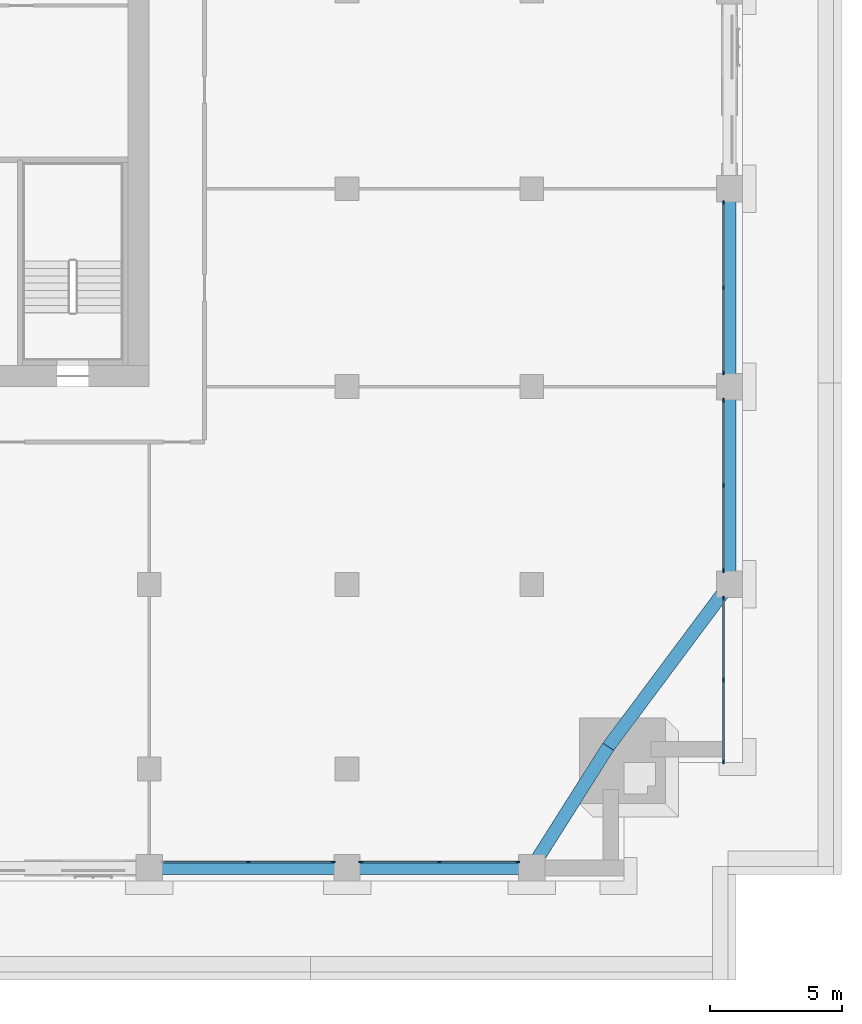
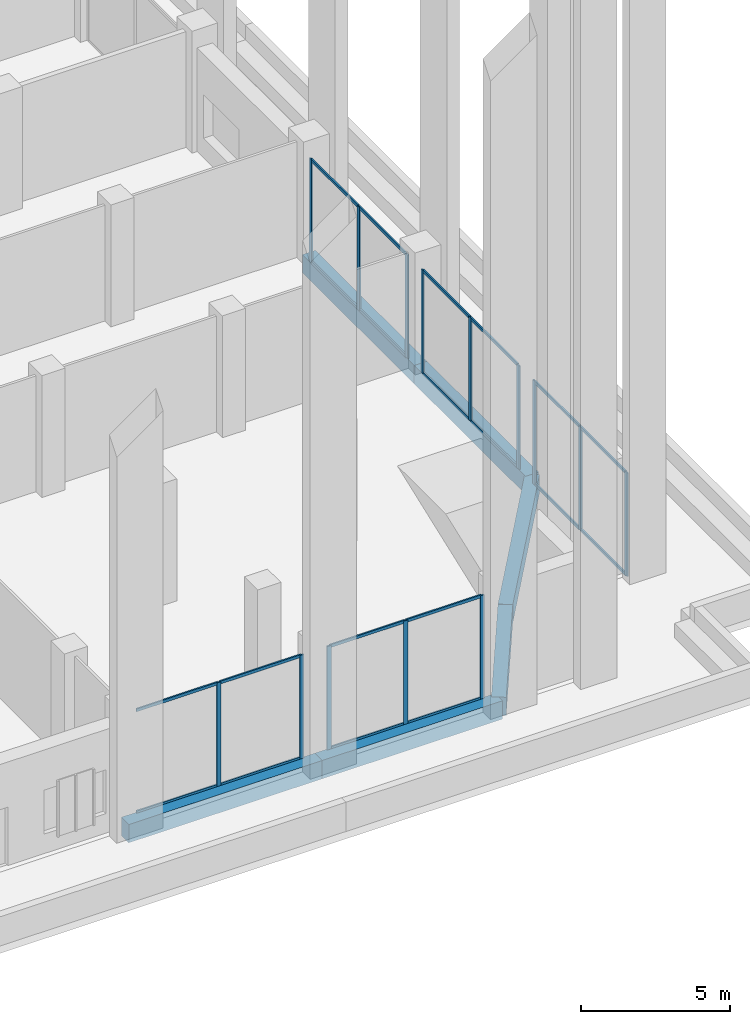
# One storey, part 4 of 19: 34 members, 6 beams, 5 elements without a shape of their own.
"""IFC4 building model written with IfcOpenShell, lengths in metres."""

from ifc_helpers import new_model, si_unit, direction, frame, origin, origin_2d, place, context, subcontext, project, spatial, rectangle, extrude, material, layer, layer_set, material_profile, profile_set, type_object, element, aggregate, save


model = new_model("IFC4")

# Units and contexts
model_context = context("Model", 3, precision=1e-05, world=origin(), true_north=direction((0.0, 1.0)))
body_context = subcontext(model_context, "Body", "Model", "MODEL_VIEW")
ifc_project = project(units=[si_unit("LENGTHUNIT", "METRE"), si_unit("AREAUNIT", "SQUARE_METRE"), si_unit("VOLUMEUNIT", "CUBIC_METRE"), si_unit("PLANEANGLEUNIT", "RADIAN"), si_unit("MASSUNIT", "GRAM", prefix="KILO")], contexts=[model_context])

# Site, building, storey
site_placement = place(None, origin())
site = spatial("IfcSite", under=ifc_project, at=site_placement, CompositionType="ELEMENT")
building_placement = place(site_placement, origin())
building = spatial("IfcBuilding", under=site, at=building_placement, Name="Tamorin Gate", CompositionType="ELEMENT")
storey_placement = place(building_placement, frame((0.0, 0.0, 174.199951171875)))
storey = spatial("IfcBuildingStorey", under=building, at=storey_placement, Name="L42", CompositionType="ELEMENT", Elevation=174.199951171875)

# Curtain wall, members
ifc_material_1 = material(Name="Aluminium mullions and transoms with clear glass", Category="aluminium")
ifc_layer = layer(ifc_material_1, 0.159912109375)
ifc_layer_set = layer_set([ifc_layer], Name="Curtain wall system CW2")
curtain_wall_type = type_object("IfcCurtainWallType", Name="Curtain wall system CW2", PredefinedType="NOTDEFINED", material=ifc_layer_set)
curtain_wall_1_placement = place(storey_placement, origin())
curtain_wall_1 = element("IfcCurtainWall", 1, at=curtain_wall_1_placement, inside=storey, type_object=curtain_wall_type, Name="Curtain wall", PredefinedType="NOTDEFINED")
ifc_material_2 = material(Name="Aluminium", Category="aluminium")
ifc_material_profile_1 = material_profile(ifc_material_2, rectangle(XDim=0.06005859375, YDim=0.159912109375, at=origin_2d()), Name="RECT 60x160")
ifc_profile_set_1 = profile_set([ifc_material_profile_1], Name="Aluminium")
member_type_1 = type_object("IfcMemberType", Name="Aluminium mullion 60x160", PredefinedType="MULLION", material=ifc_profile_set_1)
member_1_placement = place(storey_placement, frame((63.75, 41.969970703125, 0.0), z_axis=(0.0, 0.0, 1.0), x_axis=(0.0, 1.0, 0.0)))
member_1 = element("IfcMember", 2, at=member_1_placement, type_object=member_type_1, Name="CW2 mullion 2", PredefinedType="MULLION", context=body_context, shape_type="SweptSolid", body=[
    extrude(rectangle(XDim=0.06005859375, YDim=0.159912109375, at=origin_2d()), origin(), (0.0, 0.0, 1.0), 4.25),
])
member_2_placement = place(storey_placement, frame((66.969970703125, 41.969970703125, 0.0), z_axis=(0.0, 0.0, 1.0), x_axis=(0.0, 1.0, 0.0)))
member_2 = element("IfcMember", 3, at=member_2_placement, type_object=member_type_1, Name="CW2 mullion 3", PredefinedType="MULLION", context=body_context, shape_type="SweptSolid", body=[
    extrude(rectangle(XDim=0.06005859375, YDim=0.159912109375, at=origin_2d()), origin(), (0.0, 0.0, 1.0), 4.25),
])

curtain_wall_2_placement = place(storey_placement, origin())
curtain_wall_2 = element("IfcCurtainWall", 4, at=curtain_wall_2_placement, inside=storey, type_object=curtain_wall_type, Name="Curtain wall", PredefinedType="NOTDEFINED")
member_3_placement = place(storey_placement, frame((68.030029296875, 41.969970703125, 0.0), z_axis=(0.0, 0.0, 1.0), x_axis=(0.0, 1.0, 0.0)))
member_3 = element("IfcMember", 5, at=member_3_placement, type_object=member_type_1, Name="CW2 mullion 1", PredefinedType="MULLION", context=body_context, shape_type="SweptSolid", body=[
    extrude(rectangle(XDim=0.06005859375, YDim=0.159912109375, at=origin_2d()), origin(), (0.0, 0.0, 1.0), 4.25),
])
member_4_placement = place(storey_placement, frame((71.0, 41.969970703125, 0.0), z_axis=(0.0, 0.0, 1.0), x_axis=(0.0, 1.0, 0.0)))
member_4 = element("IfcMember", 6, at=member_4_placement, type_object=member_type_1, Name="CW2 mullion 2", PredefinedType="MULLION", context=body_context, shape_type="SweptSolid", body=[
    extrude(rectangle(XDim=0.06005859375, YDim=0.159912109375, at=origin_2d()), origin(), (0.0, 0.0, 1.0), 4.25),
])
member_5_placement = place(storey_placement, frame((73.969970703125, 41.969970703125, 0.0), z_axis=(0.0, 0.0, 1.0), x_axis=(0.0, 1.0, 0.0)))
member_5 = element("IfcMember", 7, at=member_5_placement, type_object=member_type_1, Name="CW2 mullion 3", PredefinedType="MULLION", context=body_context, shape_type="SweptSolid", body=[
    extrude(rectangle(XDim=0.06005859375, YDim=0.159912109375, at=origin_2d()), origin(), (0.0, 0.0, 1.0), 4.25),
])

curtain_wall_3_placement = place(storey_placement, origin())
curtain_wall_3 = element("IfcCurtainWall", 8, at=curtain_wall_3_placement, inside=storey, type_object=curtain_wall_type, Name="Curtain wall", PredefinedType="NOTDEFINED")
member_6_placement = place(storey_placement, frame((81.780029296875, 45.780029296875, 0.0), z_axis=(0.0, 0.0, 1.0), x_axis=(-1.0, 0.0, 0.0)))
member_6 = element("IfcMember", 9, at=member_6_placement, type_object=member_type_1, Name="CW2 mullion 1", PredefinedType="MULLION", context=body_context, shape_type="SweptSolid", body=[
    extrude(rectangle(XDim=0.06005859375, YDim=0.159912109375, at=origin_2d()), origin(), (0.0, 0.0, 1.0), 4.25),
])
member_7_placement = place(storey_placement, frame((81.780029296875, 48.875, 0.0), z_axis=(0.0, 0.0, 1.0), x_axis=(-1.0, 0.0, 0.0)))
member_7 = element("IfcMember", 10, at=member_7_placement, type_object=member_type_1, Name="CW2 mullion 2", PredefinedType="MULLION", context=body_context, shape_type="SweptSolid", body=[
    extrude(rectangle(XDim=0.06005859375, YDim=0.159912109375, at=origin_2d()), origin(), (0.0, 0.0, 1.0), 4.25),
])
member_8_placement = place(storey_placement, frame((81.780029296875, 51.969970703125, 0.0), z_axis=(0.0, 0.0, 1.0), x_axis=(-1.0, 0.0, 0.0)))
member_8 = element("IfcMember", 11, at=member_8_placement, type_object=member_type_1, Name="CW2 mullion 3", PredefinedType="MULLION", context=body_context, shape_type="SweptSolid", body=[
    extrude(rectangle(XDim=0.06005859375, YDim=0.159912109375, at=origin_2d()), origin(), (0.0, 0.0, 1.0), 4.25),
])

curtain_wall_4_placement = place(storey_placement, origin())
curtain_wall_4 = element("IfcCurtainWall", 12, at=curtain_wall_4_placement, inside=storey, type_object=curtain_wall_type, Name="Curtain wall", PredefinedType="NOTDEFINED")
member_9_placement = place(storey_placement, frame((81.780029296875, 53.030029296875, 0.0), z_axis=(0.0, 0.0, 1.0), x_axis=(-1.0, 0.0, 0.0)))
member_9 = element("IfcMember", 13, at=member_9_placement, type_object=member_type_1, Name="CW2 mullion 1", PredefinedType="MULLION", context=body_context, shape_type="SweptSolid", body=[
    extrude(rectangle(XDim=0.06005859375, YDim=0.159912109375, at=origin_2d()), origin(), (0.0, 0.0, 1.0), 4.25),
])
member_10_placement = place(storey_placement, frame((81.780029296875, 56.25, 0.0), z_axis=(0.0, 0.0, 1.0), x_axis=(-1.0, 0.0, 0.0)))
member_10 = element("IfcMember", 14, at=member_10_placement, type_object=member_type_1, Name="CW2 mullion 2", PredefinedType="MULLION", context=body_context, shape_type="SweptSolid", body=[
    extrude(rectangle(XDim=0.06005859375, YDim=0.159912109375, at=origin_2d()), origin(), (0.0, 0.0, 1.0), 4.25),
])
member_11_placement = place(storey_placement, frame((81.780029296875, 59.469970703125, 0.0), z_axis=(0.0, 0.0, 1.0), x_axis=(-1.0, 0.0, 0.0)))
member_11 = element("IfcMember", 15, at=member_11_placement, type_object=member_type_1, Name="CW2 mullion 3", PredefinedType="MULLION", context=body_context, shape_type="SweptSolid", body=[
    extrude(rectangle(XDim=0.06005859375, YDim=0.159912109375, at=origin_2d()), origin(), (0.0, 0.0, 1.0), 4.25),
])

curtain_wall_5_placement = place(storey_placement, origin())
curtain_wall_5 = element("IfcCurtainWall", 16, at=curtain_wall_5_placement, inside=storey, type_object=curtain_wall_type, Name="Curtain wall", PredefinedType="NOTDEFINED")
member_12_placement = place(storey_placement, frame((81.780029296875, 60.530029296875, 0.0), z_axis=(0.0, 0.0, 1.0), x_axis=(-1.0, 0.0, 0.0)))
member_12 = element("IfcMember", 17, at=member_12_placement, type_object=member_type_1, Name="CW2 mullion 1", PredefinedType="MULLION", context=body_context, shape_type="SweptSolid", body=[
    extrude(rectangle(XDim=0.06005859375, YDim=0.159912109375, at=origin_2d()), origin(), (0.0, 0.0, 1.0), 4.25),
])
member_13_placement = place(storey_placement, frame((81.780029296875, 63.75, 0.0), z_axis=(0.0, 0.0, 1.0), x_axis=(-1.0, 0.0, 0.0)))
member_13 = element("IfcMember", 18, at=member_13_placement, type_object=member_type_1, Name="CW2 mullion 2", PredefinedType="MULLION", context=body_context, shape_type="SweptSolid", body=[
    extrude(rectangle(XDim=0.06005859375, YDim=0.159912109375, at=origin_2d()), origin(), (0.0, 0.0, 1.0), 4.25),
])
member_14_placement = place(storey_placement, frame((81.780029296875, 66.969970703125, 0.0), z_axis=(0.0, 0.0, 1.0), x_axis=(-1.0, 0.0, 0.0)))
member_14 = element("IfcMember", 19, at=member_14_placement, type_object=member_type_1, Name="CW2 mullion 3", PredefinedType="MULLION", context=body_context, shape_type="SweptSolid", body=[
    extrude(rectangle(XDim=0.06005859375, YDim=0.159912109375, at=origin_2d()), origin(), (0.0, 0.0, 1.0), 4.25),
])

# Member
ifc_material_profile_2 = material_profile(ifc_material_2, rectangle(XDim=0.06005859375, YDim=0.1201171875, at=origin_2d()), Name="RECT 60x120")
ifc_profile_set_2 = profile_set([ifc_material_profile_2], Name="Aluminium")
member_type_2 = type_object("IfcMemberType", Name="Aluminium transom 60x120", PredefinedType="USERDEFINED", material=ifc_profile_set_2)
member_15_placement = place(storey_placement, frame((60.56005859375, 41.969970703125, 0.030029296875), z_axis=(1.0, 0.0, 0.0), x_axis=(0.0, 1.0, 0.0)))
member_15 = element("IfcMember", 20, at=member_15_placement, type_object=member_type_2, Name="CW2 transom 1.1", ObjectType="TRANSOM", PredefinedType="USERDEFINED", context=body_context, shape_type="SweptSolid", body=[
    extrude(rectangle(XDim=0.06005859375, YDim=0.1201171875, at=origin_2d()), origin(), (0.0, 0.0, 1.0), 3.159912109375),
])

member_16_placement = place(storey_placement, frame((60.56005859375, 41.969970703125, 4.219970703125), z_axis=(1.0, 0.0, 0.0), x_axis=(0.0, 1.0, 0.0)))
member_16 = element("IfcMember", 21, at=member_16_placement, type_object=member_type_2, Name="CW2 transom 1.2", ObjectType="TRANSOM", PredefinedType="USERDEFINED", context=body_context, shape_type="SweptSolid", body=[
    extrude(rectangle(XDim=0.06005859375, YDim=0.1201171875, at=origin_2d()), origin(), (0.0, 0.0, 1.0), 3.159912109375),
])

member_17_placement = place(storey_placement, frame((63.780029296875, 41.969970703125, 0.030029296875), z_axis=(1.0, 0.0, 0.0), x_axis=(0.0, 1.0, 0.0)))
member_17 = element("IfcMember", 22, at=member_17_placement, type_object=member_type_2, Name="CW2 transom 2.1", ObjectType="TRANSOM", PredefinedType="USERDEFINED", context=body_context, shape_type="SweptSolid", body=[
    extrude(rectangle(XDim=0.06005859375, YDim=0.1201171875, at=origin_2d()), origin(), (0.0, 0.0, 1.0), 3.159912109375),
])

member_18_placement = place(storey_placement, frame((63.780029296875, 41.969970703125, 4.219970703125), z_axis=(1.0, 0.0, 0.0), x_axis=(0.0, 1.0, 0.0)))
member_18 = element("IfcMember", 23, at=member_18_placement, type_object=member_type_2, Name="CW2 transom 2.2", ObjectType="TRANSOM", PredefinedType="USERDEFINED", context=body_context, shape_type="SweptSolid", body=[
    extrude(rectangle(XDim=0.06005859375, YDim=0.1201171875, at=origin_2d()), origin(), (0.0, 0.0, 1.0), 3.159912109375),
])

aggregate(curtain_wall_1, [member_1, member_2, member_15, member_16, member_17, member_18])

member_19_placement = place(storey_placement, frame((68.06005859375, 41.969970703125, 0.030029296875), z_axis=(1.0, 0.0, 0.0), x_axis=(0.0, 1.0, 0.0)))
member_19 = element("IfcMember", 24, at=member_19_placement, type_object=member_type_2, Name="CW2 transom 1.1", ObjectType="TRANSOM", PredefinedType="USERDEFINED", context=body_context, shape_type="SweptSolid", body=[
    extrude(rectangle(XDim=0.06005859375, YDim=0.1201171875, at=origin_2d()), origin(), (0.0, 0.0, 1.0), 2.909912109375),
])

member_20_placement = place(storey_placement, frame((68.06005859375, 41.969970703125, 4.219970703125), z_axis=(1.0, 0.0, 0.0), x_axis=(0.0, 1.0, 0.0)))
member_20 = element("IfcMember", 25, at=member_20_placement, type_object=member_type_2, Name="CW2 transom 1.2", ObjectType="TRANSOM", PredefinedType="USERDEFINED", context=body_context, shape_type="SweptSolid", body=[
    extrude(rectangle(XDim=0.06005859375, YDim=0.1201171875, at=origin_2d()), origin(), (0.0, 0.0, 1.0), 2.909912109375),
])

member_21_placement = place(storey_placement, frame((71.030029296875, 41.969970703125, 0.030029296875), z_axis=(1.0, 0.0, 0.0), x_axis=(0.0, 1.0, 0.0)))
member_21 = element("IfcMember", 26, at=member_21_placement, type_object=member_type_2, Name="CW2 transom 2.1", ObjectType="TRANSOM", PredefinedType="USERDEFINED", context=body_context, shape_type="SweptSolid", body=[
    extrude(rectangle(XDim=0.06005859375, YDim=0.1201171875, at=origin_2d()), origin(), (0.0, 0.0, 1.0), 2.909912109375),
])

member_22_placement = place(storey_placement, frame((71.030029296875, 41.969970703125, 4.219970703125), z_axis=(1.0, 0.0, 0.0), x_axis=(0.0, 1.0, 0.0)))
member_22 = element("IfcMember", 27, at=member_22_placement, type_object=member_type_2, Name="CW2 transom 2.2", ObjectType="TRANSOM", PredefinedType="USERDEFINED", context=body_context, shape_type="SweptSolid", body=[
    extrude(rectangle(XDim=0.06005859375, YDim=0.1201171875, at=origin_2d()), origin(), (0.0, 0.0, 1.0), 2.909912109375),
])

aggregate(curtain_wall_2, [member_3, member_4, member_5, member_19, member_20, member_21, member_22])

member_23_placement = place(storey_placement, frame((81.780029296875, 45.81005859375, 0.030029296875), z_axis=(0.0, 1.0, 0.0), x_axis=(-1.0, 0.0, 0.0)))
member_23 = element("IfcMember", 28, at=member_23_placement, type_object=member_type_2, Name="CW2 transom 1.1", ObjectType="TRANSOM", PredefinedType="USERDEFINED", context=body_context, shape_type="SweptSolid", body=[
    extrude(rectangle(XDim=0.06005859375, YDim=0.1201171875, at=origin_2d()), origin(), (0.0, 0.0, 1.0), 3.034912109375),
])

member_24_placement = place(storey_placement, frame((81.780029296875, 45.81005859375, 4.219970703125), z_axis=(0.0, 1.0, 0.0), x_axis=(-1.0, 0.0, 0.0)))
member_24 = element("IfcMember", 29, at=member_24_placement, type_object=member_type_2, Name="CW2 transom 1.2", ObjectType="TRANSOM", PredefinedType="USERDEFINED", context=body_context, shape_type="SweptSolid", body=[
    extrude(rectangle(XDim=0.06005859375, YDim=0.1201171875, at=origin_2d()), origin(), (0.0, 0.0, 1.0), 3.034912109375),
])

member_25_placement = place(storey_placement, frame((81.780029296875, 48.905029296875, 0.030029296875), z_axis=(0.0, 1.0, 0.0), x_axis=(-1.0, 0.0, 0.0)))
member_25 = element("IfcMember", 30, at=member_25_placement, type_object=member_type_2, Name="CW2 transom 2.1", ObjectType="TRANSOM", PredefinedType="USERDEFINED", context=body_context, shape_type="SweptSolid", body=[
    extrude(rectangle(XDim=0.06005859375, YDim=0.1201171875, at=origin_2d()), origin(), (0.0, 0.0, 1.0), 3.034912109375),
])

member_26_placement = place(storey_placement, frame((81.780029296875, 48.905029296875, 4.219970703125), z_axis=(0.0, 1.0, 0.0), x_axis=(-1.0, 0.0, 0.0)))
member_26 = element("IfcMember", 31, at=member_26_placement, type_object=member_type_2, Name="CW2 transom 2.2", ObjectType="TRANSOM", PredefinedType="USERDEFINED", context=body_context, shape_type="SweptSolid", body=[
    extrude(rectangle(XDim=0.06005859375, YDim=0.1201171875, at=origin_2d()), origin(), (0.0, 0.0, 1.0), 3.034912109375),
])

aggregate(curtain_wall_3, [member_6, member_7, member_8, member_23, member_24, member_25, member_26])

member_27_placement = place(storey_placement, frame((81.780029296875, 53.06005859375, 0.030029296875), z_axis=(0.0, 1.0, 0.0), x_axis=(-1.0, 0.0, 0.0)))
member_27 = element("IfcMember", 32, at=member_27_placement, type_object=member_type_2, Name="CW2 transom 1.1", ObjectType="TRANSOM", PredefinedType="USERDEFINED", context=body_context, shape_type="SweptSolid", body=[
    extrude(rectangle(XDim=0.06005859375, YDim=0.1201171875, at=origin_2d()), origin(), (0.0, 0.0, 1.0), 3.159912109375),
])

member_28_placement = place(storey_placement, frame((81.780029296875, 53.06005859375, 4.219970703125), z_axis=(0.0, 1.0, 0.0), x_axis=(-1.0, 0.0, 0.0)))
member_28 = element("IfcMember", 33, at=member_28_placement, type_object=member_type_2, Name="CW2 transom 1.2", ObjectType="TRANSOM", PredefinedType="USERDEFINED", context=body_context, shape_type="SweptSolid", body=[
    extrude(rectangle(XDim=0.06005859375, YDim=0.1201171875, at=origin_2d()), origin(), (0.0, 0.0, 1.0), 3.159912109375),
])

member_29_placement = place(storey_placement, frame((81.780029296875, 56.280029296875, 0.030029296875), z_axis=(0.0, 1.0, 0.0), x_axis=(-1.0, 0.0, 0.0)))
member_29 = element("IfcMember", 34, at=member_29_placement, type_object=member_type_2, Name="CW2 transom 2.1", ObjectType="TRANSOM", PredefinedType="USERDEFINED", context=body_context, shape_type="SweptSolid", body=[
    extrude(rectangle(XDim=0.06005859375, YDim=0.1201171875, at=origin_2d()), origin(), (0.0, 0.0, 1.0), 3.159912109375),
])

member_30_placement = place(storey_placement, frame((81.780029296875, 56.280029296875, 4.219970703125), z_axis=(0.0, 1.0, 0.0), x_axis=(-1.0, 0.0, 0.0)))
member_30 = element("IfcMember", 35, at=member_30_placement, type_object=member_type_2, Name="CW2 transom 2.2", ObjectType="TRANSOM", PredefinedType="USERDEFINED", context=body_context, shape_type="SweptSolid", body=[
    extrude(rectangle(XDim=0.06005859375, YDim=0.1201171875, at=origin_2d()), origin(), (0.0, 0.0, 1.0), 3.159912109375),
])

aggregate(curtain_wall_4, [member_9, member_10, member_11, member_27, member_28, member_29, member_30])

member_31_placement = place(storey_placement, frame((81.780029296875, 60.56005859375, 0.030029296875), z_axis=(0.0, 1.0, 0.0), x_axis=(-1.0, 0.0, 0.0)))
member_31 = element("IfcMember", 36, at=member_31_placement, type_object=member_type_2, Name="CW2 transom 1.1", ObjectType="TRANSOM", PredefinedType="USERDEFINED", context=body_context, shape_type="SweptSolid", body=[
    extrude(rectangle(XDim=0.06005859375, YDim=0.1201171875, at=origin_2d()), origin(), (0.0, 0.0, 1.0), 3.159912109375),
])

member_32_placement = place(storey_placement, frame((81.780029296875, 60.56005859375, 4.219970703125), z_axis=(0.0, 1.0, 0.0), x_axis=(-1.0, 0.0, 0.0)))
member_32 = element("IfcMember", 37, at=member_32_placement, type_object=member_type_2, Name="CW2 transom 1.2", ObjectType="TRANSOM", PredefinedType="USERDEFINED", context=body_context, shape_type="SweptSolid", body=[
    extrude(rectangle(XDim=0.06005859375, YDim=0.1201171875, at=origin_2d()), origin(), (0.0, 0.0, 1.0), 3.159912109375),
])

member_33_placement = place(storey_placement, frame((81.780029296875, 63.780029296875, 0.030029296875), z_axis=(0.0, 1.0, 0.0), x_axis=(-1.0, 0.0, 0.0)))
member_33 = element("IfcMember", 38, at=member_33_placement, type_object=member_type_2, Name="CW2 transom 2.1", ObjectType="TRANSOM", PredefinedType="USERDEFINED", context=body_context, shape_type="SweptSolid", body=[
    extrude(rectangle(XDim=0.06005859375, YDim=0.1201171875, at=origin_2d()), origin(), (0.0, 0.0, 1.0), 3.159912109375),
])

member_34_placement = place(storey_placement, frame((81.780029296875, 63.780029296875, 4.219970703125), z_axis=(0.0, 1.0, 0.0), x_axis=(-1.0, 0.0, 0.0)))
member_34 = element("IfcMember", 39, at=member_34_placement, type_object=member_type_2, Name="CW2 transom 2.2", ObjectType="TRANSOM", PredefinedType="USERDEFINED", context=body_context, shape_type="SweptSolid", body=[
    extrude(rectangle(XDim=0.06005859375, YDim=0.1201171875, at=origin_2d()), origin(), (0.0, 0.0, 1.0), 3.159912109375),
])

aggregate(curtain_wall_5, [member_12, member_13, member_14, member_31, member_32, member_33, member_34])

# Beams
ifc_material_3 = material(Name="Concrete C50/60", Category="concrete")
ifc_material_profile_3 = material_profile(ifc_material_3, rectangle(XDim=0.5, YDim=0.75, at=origin_2d()), Name="RC 500x750")
ifc_profile_set_3 = profile_set([ifc_material_profile_3], Name="Concrete C50/60")
beam_type = type_object("IfcBeamType", Name="RC spandrel 500x750 C50/60", PredefinedType="BEAM", material=ifc_profile_set_3)
beam_1_placement = place(storey_placement, frame((60.0, 41.75, -0.375), z_axis=(1.0, 0.0, 0.0), x_axis=(0.0, 1.0, 0.0)))
element("IfcBeam", 40, at=beam_1_placement, inside=storey, type_object=beam_type, Name="Spandrel beam L42", PredefinedType="BEAM", context=body_context, shape_type="SweptSolid", body=[
    extrude(rectangle(XDim=0.5, YDim=0.75, at=origin_2d()), origin(), (0.0, 0.0, 1.0), 7.5),
])
beam_2_placement = place(storey_placement, frame((67.5, 41.75, -0.375), z_axis=(1.0, 0.0, 0.0), x_axis=(0.0, 1.0, 0.0)))
element("IfcBeam", 41, at=beam_2_placement, inside=storey, type_object=beam_type, Name="Spandrel beam L42", PredefinedType="BEAM", context=body_context, shape_type="SweptSolid", body=[
    extrude(rectangle(XDim=0.5, YDim=0.75, at=origin_2d()), origin(), (0.0, 0.0, 1.0), 7.0),
])
for number, where, z_axis, x_axis, name in (
    (42, (82.0, 52.5, -0.375), (0.0, 1.0, 0.0), (-1.0, 0.0, 0.0), "Spandrel beam L42"),
    (43, (82.0, 60.0, -0.375), (0.0, 1.0, 0.0), (-1.0, 0.0, 0.0), "Spandrel beam L42"),
):
    element("IfcBeam", number, at=place(storey_placement, frame(where, z_axis=z_axis, x_axis=x_axis)), inside=storey, type_object=beam_type, Name=name, PredefinedType="BEAM", context=body_context, shape_type="SweptSolid", body=[
        extrude(rectangle(XDim=0.5, YDim=0.75, at=origin_2d()), origin(), (0.0, 0.0, 1.0), 7.5),
    ])
beam_3_placement = place(storey_placement, frame((77.40625, 46.34375, -0.375), z_axis=(-0.534641712604, -0.845078836052, 0.0), x_axis=(0.845078836052, -0.534641712604, 0.0)))
element("IfcBeam", 44, at=beam_3_placement, inside=storey, type_object=beam_type, Name="Corner tie beam L42", PredefinedType="BEAM", context=body_context, shape_type="SweptSolid", body=[
    extrude(rectangle(XDim=0.5, YDim=0.75, at=origin_2d()), origin(), (0.0, 0.0, 1.0), 5.435791015625),
])
beam_4_placement = place(storey_placement, frame((77.40625, 46.34375, -0.375), z_axis=(0.598045411108, 0.801462217608, 0.0), x_axis=(-0.801462217608, 0.598045411108, 0.0)))
element("IfcBeam", 45, at=beam_4_placement, inside=storey, type_object=beam_type, Name="Corner tie beam L42", PredefinedType="BEAM", context=body_context, shape_type="SweptSolid", body=[
    extrude(rectangle(XDim=0.5, YDim=0.75, at=origin_2d()), origin(), (0.0, 0.0, 1.0), 7.68115234375),
])

save(model, "model.ifc")
